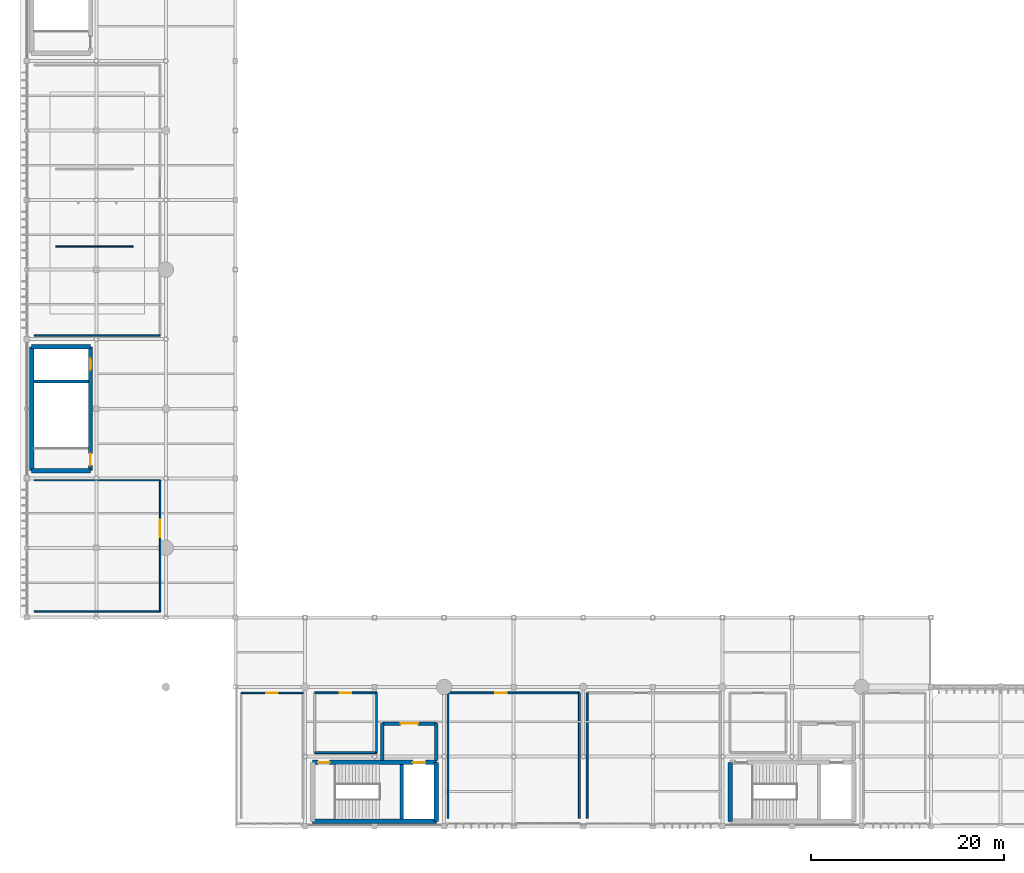
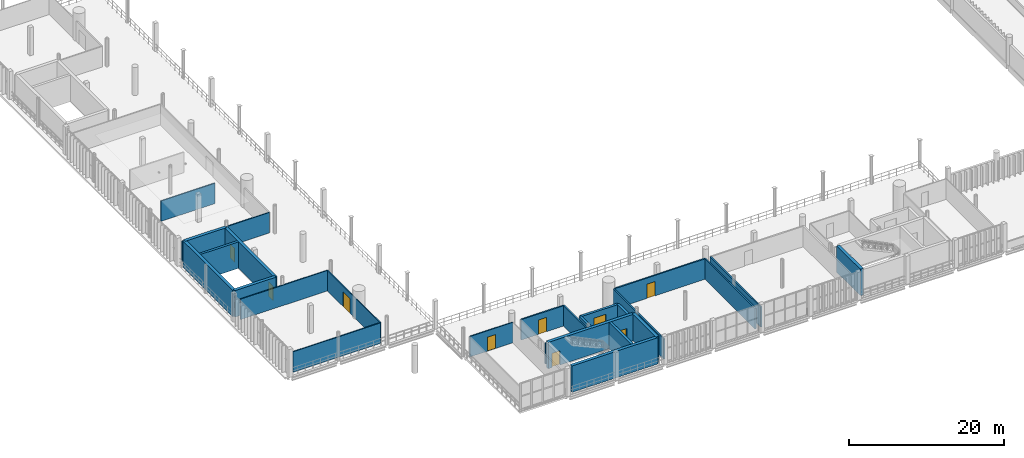
# One storey, part 57 of 81: 26 walls, 9 doors, 9 openings.
"""IFC4 building model written with IfcOpenShell, lengths in metres."""

from ifc_helpers import new_model, si_unit, direction, frame, frame_2d, origin, place, context, subcontext, project, spatial, rectangle, extrude, material, layer, layer_set, type_object, element, fill, save


model = new_model("IFC4")

# Units and contexts
model_context = context("Model", 3, precision=1e-05, world=origin(), true_north=direction((0.0, 1.0)))
body_context = subcontext(model_context, "Body", "Model", "MODEL_VIEW")
ifc_project = project(units=[si_unit("LENGTHUNIT", "METRE"), si_unit("AREAUNIT", "SQUARE_METRE"), si_unit("VOLUMEUNIT", "CUBIC_METRE"), si_unit("PLANEANGLEUNIT", "RADIAN"), si_unit("MASSUNIT", "GRAM", prefix="KILO")], contexts=[model_context])

# Site, building, storey
site_placement = place(None, origin())
site = spatial("IfcSite", under=ifc_project, at=site_placement, CompositionType="ELEMENT")
building_placement = place(site_placement, origin())
building = spatial("IfcBuilding", under=site, at=building_placement, Name="Qandorah Velis Arena", CompositionType="ELEMENT")
storey_placement = place(building_placement, frame((0.0, 0.0, 18.60009765625)))
storey = spatial("IfcBuildingStorey", under=building, at=storey_placement, Name="L04", CompositionType="ELEMENT", Elevation=18.60009765625)

# Walls
ifc_material_1 = material(Name="Concrete C35/45", Category="concrete")
ifc_layer_1 = layer(ifc_material_1, 0.199951171875)
ifc_layer_set_1 = layer_set([ifc_layer_1], Name="Concrete C35/45")
wall_type_1 = type_object("IfcWallType", Name="ARC-WAL-FD60-200", PredefinedType="PARTITIONING", material=ifc_layer_set_1)
wall_1_placement = place(storey_placement, frame((29.800048828125, 7.60009765625, 0.0), z_axis=(0.0, 0.0, 1.0), x_axis=(1.0, 0.0, 0.0)))
element("IfcWall", 1, at=wall_1_placement, inside=storey, type_object=wall_type_1, Name="Interior partition L04-VAR-OPS (S)", PredefinedType="PARTITIONING", context=body_context, shape_type="SweptSolid", body=[
    extrude(rectangle(XDim=6.39990234375, YDim=0.199951171875, at=frame_2d((3.199951171875, 0.0))), origin(), (0.0, 0.0, 1.0), 3.2099609375),
])
wall_2_placement = place(storey_placement, frame((36.199951171875, 7.60009765625, 0.0), z_axis=(0.0, 0.0, 1.0), x_axis=(0.0, 1.0, 0.0)))
element("IfcWall", 2, at=wall_2_placement, inside=storey, type_object=wall_type_1, Name="Interior partition L04-VAR-OPS (E)", PredefinedType="PARTITIONING", context=body_context, shape_type="SweptSolid", body=[
    extrude(rectangle(XDim=6.199951171875, YDim=0.199951171875, at=frame_2d((3.10009765625, 0.0))), origin(), (0.0, 0.0, 1.0), 3.2099609375),
])

# Wall, opening, door
wall_3_placement = place(storey_placement, frame((36.199951171875, 13.800048828125, 0.0), z_axis=(0.0, 0.0, 1.0), x_axis=(-1.0, 0.0, 0.0)))
wall_3 = element("IfcWall", 3, at=wall_3_placement, inside=storey, type_object=wall_type_1, Name="Interior partition L04-VAR-OPS (N)", PredefinedType="PARTITIONING", context=body_context, shape_type="SweptSolid", body=[
    extrude(rectangle(XDim=6.39990234375, YDim=0.199951171875, at=frame_2d((3.199951171875, 0.0))), origin(), (0.0, 0.0, 1.0), 3.2099609375),
])
opening_1_placement = place(wall_3_placement, frame((2.60009765625, 0.0, 0.0)))
opening_1 = element("IfcOpeningElement", 4, at=opening_1_placement, cuts=wall_3, Name="Opening FD2", PredefinedType="OPENING", context=body_context, shape_type="SweptSolid", body=[
    extrude(rectangle(XDim=1.199951171875, YDim=2.25, at=frame_2d((0.60009765625, 1.125))), frame((0.0, 0.10986328125, 0.0), z_axis=(0.0, -1.0, 0.0), x_axis=(1.0, 0.0, 0.0)), (0.0, 0.0, 1.0), 0.219970703125),
])
ifc_material_2 = material(Name="Insulated fire-rated single steel door", Category="steel")
door_type_1 = type_object("IfcDoorType", Name="ARC-DR-FD1200", OperationType="NOTDEFINED", PredefinedType="DOOR", material=ifc_material_2)
door_1_placement = place(opening_1_placement, frame((1.199951171875, 0.0, 0.0), z_axis=(0.0, 0.0, 1.0), x_axis=(-1.0, 0.0, 0.0)))
door_1 = element("IfcDoor", 5, at=door_1_placement, inside=storey, type_object=door_type_1, Name="Door L04-VAR-OPS", OperationType="SINGLE_SWING_RIGHT", OverallHeight=2.25, OverallWidth=1.199951171875, PredefinedType="DOOR", context=body_context, shape_type="SweptSolid", body=[
    extrude(rectangle(XDim=1.199951171875, YDim=2.25, at=frame_2d((0.60009765625, 1.125))), frame((0.0, 0.02490234375, 0.0), z_axis=(0.0, -1.0, 0.0), x_axis=(1.0, 0.0, 0.0)), (0.0, 0.0, 1.0), 0.050048828125),
])
fill(opening_1, door_1)

# Wall
wall_4_placement = place(storey_placement, frame((57.199951171875, 0.800048828125, 0.0), z_axis=(0.0, 0.0, 1.0), x_axis=(0.0, 1.0, 0.0)))
element("IfcWall", 6, at=wall_4_placement, inside=storey, type_object=wall_type_1, Name="Interior partition L04-TV-ST1 (E)", PredefinedType="PARTITIONING", context=body_context, shape_type="SweptSolid", body=[
    extrude(rectangle(XDim=13.0, YDim=0.199951171875, at=frame_2d((6.5, 0.0))), origin(), (0.0, 0.0, 1.0), 3.2099609375),
])

# Wall, opening, door
wall_5_placement = place(storey_placement, frame((57.199951171875, 13.800048828125, 0.0), z_axis=(0.0, 0.0, 1.0), x_axis=(-1.0, 0.0, 0.0)))
wall_5 = element("IfcWall", 7, at=wall_5_placement, inside=storey, type_object=wall_type_1, Name="Interior partition L04-TV-ST1 (N)", PredefinedType="PARTITIONING", context=body_context, shape_type="SweptSolid", body=[
    extrude(rectangle(XDim=13.599853515625, YDim=0.199951171875, at=frame_2d((6.7998046875, 0.0))), origin(), (0.0, 0.0, 1.0), 3.2099609375),
])
opening_2_placement = place(wall_5_placement, frame((7.5, 0.0, 0.0)))
opening_2 = element("IfcOpeningElement", 8, at=opening_2_placement, cuts=wall_5, Name="Opening FD2", PredefinedType="OPENING", context=body_context, shape_type="SweptSolid", body=[
    extrude(rectangle(XDim=1.199951171875, YDim=2.25, at=frame_2d((0.60009765625, 1.125))), frame((0.0, 0.10986328125, 0.0), z_axis=(0.0, -1.0, 0.0), x_axis=(1.0, 0.0, 0.0)), (0.0, 0.0, 1.0), 0.219970703125),
])
door_2_placement = place(opening_2_placement, origin())
door_2 = element("IfcDoor", 9, at=door_2_placement, inside=storey, type_object=door_type_1, Name="Door L04-TV-ST1", OperationType="SINGLE_SWING_LEFT", OverallHeight=2.25, OverallWidth=1.199951171875, PredefinedType="DOOR", context=body_context, shape_type="SweptSolid", body=[
    extrude(rectangle(XDim=1.199951171875, YDim=2.25, at=frame_2d((0.60009765625, 1.125))), frame((0.0, 0.02490234375, 0.0), z_axis=(0.0, -1.0, 0.0), x_axis=(1.0, 0.0, 0.0)), (0.0, 0.0, 1.0), 0.050048828125),
])
fill(opening_2, door_2)

# Walls
for number, where, z_axis, x_axis, name in (
    (10, (43.60009765625, 13.800048828125, 0.0), (0.0, 0.0, 1.0), (0.0, -1.0, 0.0), "Interior partition L04-TV-ST1 (W)"),
    (11, (58.0, 13.800048828125, 0.0), (0.0, 0.0, 1.0), (0.0, -1.0, 0.0), "Interior partition L04-TV-ST2 (W)"),
):
    element("IfcWall", number, at=place(storey_placement, frame(where, z_axis=z_axis, x_axis=x_axis)), inside=storey, type_object=wall_type_1, Name=name, PredefinedType="PARTITIONING", context=body_context, shape_type="SweptSolid", body=[
        extrude(rectangle(XDim=13.0, YDim=0.199951171875, at=frame_2d((6.5, 0.0))), origin(), (0.0, 0.0, 1.0), 3.2099609375),
    ])
ifc_material_3 = material(Name="Steel S355", Category="steel")
ifc_layer_2 = layer(ifc_material_3, 0.139892578125)
ifc_layer_set_2 = layer_set([ifc_layer_2], Name="Steel S355")
wall_type_2 = type_object("IfcWallType", Name="ARC-WAL-MOV140", PredefinedType="MOVABLE", material=ifc_layer_set_2)
wall_6_placement = place(storey_placement, frame((3.0, 60.0, 0.0), z_axis=(0.0, 0.0, 1.0), x_axis=(1.0, 0.0, 0.0)))
element("IfcWall", 12, at=wall_6_placement, inside=storey, type_object=wall_type_2, Name="Operable acoustic partition MP-05", PredefinedType="MOVABLE", context=body_context, shape_type="SweptSolid", body=[
    extrude(rectangle(XDim=8.0, YDim=0.139892578125, at=frame_2d((4.0, 0.0))), origin(), (0.0, 0.0, 1.0), 3.199951171875),
])
ifc_layer_3 = layer(ifc_material_1, 0.14990234375)
ifc_layer_set_3 = layer_set([ifc_layer_3], Name="Concrete C35/45")
wall_type_3 = type_object("IfcWallType", Name="ARC-WAL-PART150", PredefinedType="PARTITIONING", material=ifc_layer_set_3)
for number, where, z_axis, x_axis, name in (
    (13, (0.800048828125, 50.800048828125, 0.0), (0.0, 0.0, 1.0), (1.0, 0.0, 0.0), "Interior partition L04-PRS-WRK (S)"),
    (14, (0.800048828125, 22.199951171875, 0.0), (0.0, 0.0, 1.0), (1.0, 0.0, 0.0), "Interior partition L04-PRS-CNF (S)"),
):
    element("IfcWall", number, at=place(storey_placement, frame(where, z_axis=z_axis, x_axis=x_axis)), inside=storey, type_object=wall_type_3, Name=name, PredefinedType="PARTITIONING", context=body_context, shape_type="SweptSolid", body=[
        extrude(rectangle(XDim=13.0, YDim=0.14990234375, at=frame_2d((6.5, 0.0))), origin(), (0.0, 0.0, 1.0), 3.2099609375),
    ])

# Wall, opening, door
wall_7_placement = place(storey_placement, frame((13.800048828125, 22.199951171875, 0.0), z_axis=(0.0, 0.0, 1.0), x_axis=(0.0, 1.0, 0.0)))
wall_7 = element("IfcWall", 15, at=wall_7_placement, inside=storey, type_object=wall_type_3, Name="Interior partition L04-PRS-CNF (E)", PredefinedType="PARTITIONING", context=body_context, shape_type="SweptSolid", body=[
    extrude(rectangle(XDim=13.60009765625, YDim=0.14990234375, at=frame_2d((6.800048828125, 0.0))), origin(), (0.0, 0.0, 1.0), 3.2099609375),
])
opening_3_placement = place(wall_7_placement, frame((7.699951171875, 0.0, 0.0)))
opening_3 = element("IfcOpeningElement", 16, at=opening_3_placement, cuts=wall_7, Name="Opening D3", PredefinedType="OPENING", context=body_context, shape_type="SweptSolid", body=[
    extrude(rectangle(XDim=1.800048828125, YDim=2.300048828125, at=frame_2d((0.89990234375, 1.14990234375))), frame((0.0, 0.0849609375, 0.0), z_axis=(0.0, -1.0, 0.0), x_axis=(1.0, 0.0, 0.0)), (0.0, 0.0, 1.0), 0.169921875),
])
ifc_material_4 = material(Name="Double-leaf acoustic timber door", Category="wood")
door_type_2 = type_object("IfcDoorType", Name="ARC-DR-DBL1800", OperationType="NOTDEFINED", PredefinedType="DOOR", material=ifc_material_4)
door_3_placement = place(opening_3_placement, origin())
door_3 = element("IfcDoor", 17, at=door_3_placement, inside=storey, type_object=door_type_2, Name="Door L04-PRS-CNF", OperationType="DOUBLE_DOOR_SINGLE_SWING", OverallHeight=2.300048828125, OverallWidth=1.800048828125, PredefinedType="DOOR", context=body_context, shape_type="SweptSolid", body=[
    extrude(rectangle(XDim=1.800048828125, YDim=2.300048828125, at=frame_2d((0.89990234375, 1.14990234375))), frame((0.0, 0.02490234375, 0.0), z_axis=(0.0, -1.0, 0.0), x_axis=(1.0, 0.0, 0.0)), (0.0, 0.0, 1.0), 0.050048828125),
])
fill(opening_3, door_3)

# Wall
wall_8_placement = place(storey_placement, frame((13.800048828125, 35.800048828125, 0.0), z_axis=(0.0, 0.0, 1.0), x_axis=(-1.0, 0.0, 0.0)))
element("IfcWall", 18, at=wall_8_placement, inside=storey, type_object=wall_type_3, Name="Interior partition L04-PRS-CNF (N)", PredefinedType="PARTITIONING", context=body_context, shape_type="SweptSolid", body=[
    extrude(rectangle(XDim=13.0, YDim=0.14990234375, at=frame_2d((6.5, 0.0))), origin(), (0.0, 0.0, 1.0), 3.2099609375),
])

# Wall, opening, door
wall_9_placement = place(storey_placement, frame((28.60009765625, 13.800048828125, 0.0), z_axis=(0.0, 0.0, 1.0), x_axis=(-1.0, 0.0, 0.0)))
wall_9 = element("IfcWall", 19, at=wall_9_placement, inside=storey, type_object=wall_type_3, Name="Interior partition L04-PHO-WRK (N)", PredefinedType="PARTITIONING", context=body_context, shape_type="SweptSolid", body=[
    extrude(rectangle(XDim=6.400146484375, YDim=0.14990234375, at=frame_2d((3.2001953125, 0.0))), origin(), (0.0, 0.0, 1.0), 3.2099609375),
])
opening_4_placement = place(wall_9_placement, frame((2.60009765625, 0.0, 0.0)))
opening_4 = element("IfcOpeningElement", 20, at=opening_4_placement, cuts=wall_9, Name="Opening D2", PredefinedType="OPENING", context=body_context, shape_type="SweptSolid", body=[
    extrude(rectangle(XDim=1.199951171875, YDim=2.199951171875, at=frame_2d((0.60009765625, 1.10009765625))), frame((0.0, 0.0849609375, 0.0), z_axis=(0.0, -1.0, 0.0), x_axis=(1.0, 0.0, 0.0)), (0.0, 0.0, 1.0), 0.169921875),
])
ifc_material_5 = material(Name="Solid-core hardwood veneer door", Category="wood")
door_type_3 = type_object("IfcDoorType", Name="ARC-DR-INT1200", OperationType="NOTDEFINED", PredefinedType="DOOR", material=ifc_material_5)
door_4_placement = place(opening_4_placement, origin())
door_4 = element("IfcDoor", 21, at=door_4_placement, inside=storey, type_object=door_type_3, Name="Door L04-PHO-WRK", OperationType="SINGLE_SWING_LEFT", OverallHeight=2.199951171875, OverallWidth=1.199951171875, PredefinedType="DOOR", context=body_context, shape_type="SweptSolid", body=[
    extrude(rectangle(XDim=1.199951171875, YDim=2.199951171875, at=frame_2d((0.60009765625, 1.10009765625))), frame((0.0, 0.02490234375, 0.0), z_axis=(0.0, -1.0, 0.0), x_axis=(1.0, 0.0, 0.0)), (0.0, 0.0, 1.0), 0.050048828125),
])
fill(opening_4, door_4)

# Wall
ifc_material_6 = material(Name="Concrete C40/50", Category="concrete")
ifc_layer_4 = layer(ifc_material_6, 0.449951171875)
ifc_layer_set_4 = layer_set([ifc_layer_4], Name="Concrete C40/50")
wall_type_4 = type_object("IfcWallType", Name="STR-WAL-CORE450", PredefinedType="SHEAR", material=ifc_layer_set_4)
wall_10_placement = place(storey_placement, frame((29.60009765625, 0.5, 0.0), z_axis=(0.0, 0.0, 1.0), x_axis=(1.0, 0.0, 0.0)))
element("IfcWall", 22, at=wall_10_placement, inside=storey, type_object=wall_type_4, Name="Core CORE-01 shear wall S (L04)", PredefinedType="SHEAR", context=body_context, shape_type="SweptSolid", body=[
    extrude(rectangle(XDim=12.7998046875, YDim=0.449951171875, at=frame_2d((6.39990234375, 0.0))), origin(), (0.0, 0.0, 1.0), 4.14990234375),
])

# Wall, openings, doors
wall_11_placement = place(storey_placement, frame((29.60009765625, 6.60009765625, 0.0), z_axis=(0.0, 0.0, 1.0), x_axis=(1.0, 0.0, 0.0)))
wall_11 = element("IfcWall", 23, at=wall_11_placement, inside=storey, type_object=wall_type_4, Name="Core CORE-01 shear wall N (L04)", PredefinedType="SHEAR", context=body_context, shape_type="SweptSolid", body=[
    extrude(rectangle(XDim=12.7998046875, YDim=0.449951171875, at=frame_2d((6.39990234375, 0.0))), origin(), (0.0, 0.0, 1.0), 4.14990234375),
])
opening_5_placement = place(wall_11_placement, frame((0.550048828125, 0.0, 0.0)))
opening_5 = element("IfcOpeningElement", 24, at=opening_5_placement, cuts=wall_11, Name="Opening SD1", PredefinedType="OPENING", context=body_context, shape_type="SweptSolid", body=[
    extrude(rectangle(XDim=1.199951171875, YDim=2.25, at=frame_2d((0.60009765625, 1.125))), frame((0.0, 0.23486328125, 0.0), z_axis=(0.0, -1.0, 0.0), x_axis=(1.0, 0.0, 0.0)), (0.0, 0.0, 1.0), 0.469970703125),
])
opening_6_placement = place(wall_11_placement, frame((10.35791015625, 0.0, 0.0)))
opening_6 = element("IfcOpeningElement", 25, at=opening_6_placement, cuts=wall_11, Name="Opening LD2", PredefinedType="OPENING", context=body_context, shape_type="SweptSolid", body=[
    extrude(rectangle(XDim=1.300048828125, YDim=2.25, at=frame_2d((0.64990234375, 1.125))), frame((0.0, 0.23486328125, 0.0), z_axis=(0.0, -1.0, 0.0), x_axis=(1.0, 0.0, 0.0)), (0.0, 0.0, 1.0), 0.469970703125),
])
ifc_material_7 = material(Name="Firefighting stainless sliding lift landing door", Category="steel")
door_type_4 = type_object("IfcDoorType", Name="ARC-DR-LD1300", OperationType="NOTDEFINED", PredefinedType="DOOR", material=ifc_material_7)
door_5_placement = place(opening_6_placement, origin())
door_5 = element("IfcDoor", 26, at=door_5_placement, inside=storey, type_object=door_type_4, Name="Lift FL1 sliding landing door (L04)", OperationType="SLIDING_TO_RIGHT", OverallHeight=2.25, OverallWidth=1.300048828125, PredefinedType="DOOR", context=body_context, shape_type="SweptSolid", body=[
    extrude(rectangle(XDim=1.300048828125, YDim=2.25, at=frame_2d((0.64990234375, 1.125))), frame((0.0, 0.02490234375, 0.0), z_axis=(0.0, -1.0, 0.0), x_axis=(1.0, 0.0, 0.0)), (0.0, 0.0, 1.0), 0.050048828125),
])
fill(opening_6, door_5)
ifc_material_8 = material(Name="Self-closing fire-rated stair steel door", Category="steel")
door_type_5 = type_object("IfcDoorType", Name="ARC-DR-ST1200", OperationType="NOTDEFINED", PredefinedType="DOOR", material=ifc_material_8)
door_6_placement = place(opening_5_placement, frame((1.199951171875, 0.0, 0.0), z_axis=(0.0, 0.0, 1.0), x_axis=(-1.0, 0.0, 0.0)))
door_6 = element("IfcDoor", 27, at=door_6_placement, inside=storey, type_object=door_type_5, Name="Stair ST1 fire door (L04)", OperationType="SINGLE_SWING_LEFT", OverallHeight=2.25, OverallWidth=1.199951171875, PredefinedType="DOOR", context=body_context, shape_type="SweptSolid", body=[
    extrude(rectangle(XDim=1.199951171875, YDim=2.25, at=frame_2d((0.60009765625, 1.125))), frame((0.0, 0.02490234375, 0.0), z_axis=(0.0, -1.0, 0.0), x_axis=(1.0, 0.0, 0.0)), (0.0, 0.0, 1.0), 0.050048828125),
])
fill(opening_5, door_6)

# Walls
for number, where, z_axis, x_axis, name in (
    (28, (42.39990234375, 0.5, 0.0), (0.0, 0.0, 1.0), (0.0, 1.0, 0.0), "Core CORE-01 shear wall E (L04)"),
    (29, (72.800048828125, 0.5, 0.0), (0.0, 0.0, 1.0), (0.0, 1.0, 0.0), "Core CORE-02 shear wall W (L04)"),
    (30, (0.5, 36.800048828125, 0.0), (0.0, 0.0, 1.0), (1.0, 0.0, 0.0), "Core CORE-05 shear wall S (L04)"),
    (31, (0.5, 49.60009765625, 0.0), (0.0, 0.0, 1.0), (1.0, 0.0, 0.0), "Core CORE-05 shear wall N (L04)"),
):
    element("IfcWall", number, at=place(storey_placement, frame(where, z_axis=z_axis, x_axis=x_axis)), inside=storey, type_object=wall_type_4, Name=name, PredefinedType="SHEAR", context=body_context, shape_type="SweptSolid", body=[
        extrude(rectangle(XDim=6.10009765625, YDim=0.449951171875, at=frame_2d((3.050048828125, 0.0))), origin(), (0.0, 0.0, 1.0), 4.14990234375),
    ])
wall_12_placement = place(storey_placement, frame((0.5, 36.800048828125, 0.0), z_axis=(0.0, 0.0, 1.0), x_axis=(0.0, 1.0, 0.0)))
element("IfcWall", 32, at=wall_12_placement, inside=storey, type_object=wall_type_4, Name="Core CORE-05 shear wall W (L04)", PredefinedType="SHEAR", context=body_context, shape_type="SweptSolid", body=[
    extrude(rectangle(XDim=12.800048828125, YDim=0.449951171875, at=frame_2d((6.39990234375, 0.0))), origin(), (0.0, 0.0, 1.0), 4.14990234375),
])

# Wall, openings, doors
wall_13_placement = place(storey_placement, frame((6.60009765625, 36.800048828125, 0.0), z_axis=(0.0, 0.0, 1.0), x_axis=(0.0, 1.0, 0.0)))
wall_13 = element("IfcWall", 33, at=wall_13_placement, inside=storey, type_object=wall_type_4, Name="Core CORE-05 shear wall E (L04)", PredefinedType="SHEAR", context=body_context, shape_type="SweptSolid", body=[
    extrude(rectangle(XDim=12.800048828125, YDim=0.449951171875, at=frame_2d((6.39990234375, 0.0))), origin(), (0.0, 0.0, 1.0), 4.14990234375),
])
opening_7_placement = place(wall_13_placement, frame((0.550048828125, 0.0, 0.0)))
opening_7 = element("IfcOpeningElement", 34, at=opening_7_placement, cuts=wall_13, Name="Opening SD1", PredefinedType="OPENING", context=body_context, shape_type="SweptSolid", body=[
    extrude(rectangle(XDim=1.199951171875, YDim=2.25, at=frame_2d((0.60009765625, 1.125))), frame((0.0, 0.23486328125, 0.0), z_axis=(0.0, -1.0, 0.0), x_axis=(1.0, 0.0, 0.0)), (0.0, 0.0, 1.0), 0.469970703125),
])
opening_8_placement = place(wall_13_placement, frame((10.4580078125, 0.0, 0.0)))
opening_8 = element("IfcOpeningElement", 35, at=opening_8_placement, cuts=wall_13, Name="Opening LD1", PredefinedType="OPENING", context=body_context, shape_type="SweptSolid", body=[
    extrude(rectangle(XDim=1.10009765625, YDim=2.199951171875, at=frame_2d((0.550048828125, 1.10009765625))), frame((0.0, 0.23486328125, 0.0), z_axis=(0.0, -1.0, 0.0), x_axis=(1.0, 0.0, 0.0)), (0.0, 0.0, 1.0), 0.469970703125),
])
ifc_material_9 = material(Name="Stainless steel sliding lift landing door", Category="steel")
door_type_6 = type_object("IfcDoorType", Name="ARC-DR-LD1100", OperationType="NOTDEFINED", PredefinedType="DOOR", material=ifc_material_9)
door_7_placement = place(opening_8_placement, origin())
door_7 = element("IfcDoor", 36, at=door_7_placement, inside=storey, type_object=door_type_6, Name="Lift PL3 sliding landing door (L04)", OperationType="SLIDING_TO_RIGHT", OverallHeight=2.199951171875, OverallWidth=1.10009765625, PredefinedType="DOOR", context=body_context, shape_type="SweptSolid", body=[
    extrude(rectangle(XDim=1.10009765625, YDim=2.199951171875, at=frame_2d((0.550048828125, 1.10009765625))), frame((0.0, 0.02490234375, 0.0), z_axis=(0.0, -1.0, 0.0), x_axis=(1.0, 0.0, 0.0)), (0.0, 0.0, 1.0), 0.050048828125),
])
fill(opening_8, door_7)
door_8_placement = place(opening_7_placement, origin())
door_8 = element("IfcDoor", 37, at=door_8_placement, inside=storey, type_object=door_type_5, Name="Stair ST5 fire door (L04)", OperationType="SINGLE_SWING_LEFT", OverallHeight=2.25, OverallWidth=1.199951171875, PredefinedType="DOOR", context=body_context, shape_type="SweptSolid", body=[
    extrude(rectangle(XDim=1.199951171875, YDim=2.25, at=frame_2d((0.60009765625, 1.125))), frame((0.0, 0.02490234375, 0.0), z_axis=(0.0, -1.0, 0.0), x_axis=(1.0, 0.0, 0.0)), (0.0, 0.0, 1.0), 0.050048828125),
])
fill(opening_7, door_8)

# Walls
ifc_layer_5 = layer(ifc_material_6, 0.35009765625)
ifc_layer_set_5 = layer_set([ifc_layer_5], Name="Concrete C40/50")
wall_type_5 = type_object("IfcWallType", Name="STR-WAL-SH350", PredefinedType="SHEAR", material=ifc_layer_set_5)
for number, where, z_axis, x_axis, name in (
    (38, (38.81591796875, 0.72509765625, 0.0), (0.0, 0.0, 1.0), (0.0, 1.0, 0.0), "Core CORE-01 shaft divider shear wall (L04)"),
    (39, (0.72509765625, 46.01611328125, 0.0), (0.0, 0.0, 1.0), (1.0, 0.0, 0.0), "Core CORE-05 shaft divider shear wall (L04)"),
):
    element("IfcWall", number, at=place(storey_placement, frame(where, z_axis=z_axis, x_axis=x_axis)), inside=storey, type_object=wall_type_5, Name=name, PredefinedType="SHEAR", context=body_context, shape_type="SweptSolid", body=[
        extrude(rectangle(XDim=5.64990234375, YDim=0.35009765625, at=frame_2d((2.824951171875, 0.0))), origin(), (0.0, 0.0, 1.0), 4.14990234375),
    ])
wall_14_placement = place(storey_placement, frame((42.39990234375, 6.800048828125, 0.0), z_axis=(0.0, 0.0, 1.0), x_axis=(0.0, 1.0, 0.0)))
element("IfcWall", 40, at=wall_14_placement, inside=storey, type_object=wall_type_5, Name="Interior partition FFL-FL1-L04 (E)", PredefinedType="SHEAR", context=body_context, shape_type="SweptSolid", body=[
    extrude(rectangle(XDim=3.800048828125, YDim=0.35009765625, at=frame_2d((1.89990234375, 0.0))), origin(), (0.0, 0.0, 1.0), 3.2099609375),
])

# Wall, opening, door
wall_15_placement = place(storey_placement, frame((42.39990234375, 10.60009765625, 0.0), z_axis=(0.0, 0.0, 1.0), x_axis=(-1.0, 0.0, 0.0)))
wall_15 = element("IfcWall", 41, at=wall_15_placement, inside=storey, type_object=wall_type_5, Name="Interior partition FFL-FL1-L04 (N)", PredefinedType="SHEAR", context=body_context, shape_type="SweptSolid", body=[
    extrude(rectangle(XDim=5.599853515625, YDim=0.35009765625, at=frame_2d((2.7998046875, 0.0))), origin(), (0.0, 0.0, 1.0), 3.2099609375),
])
opening_9_placement = place(wall_15_placement, frame((1.89990234375, 0.0, 0.0)))
opening_9 = element("IfcOpeningElement", 42, at=opening_9_placement, cuts=wall_15, Name="Opening FD1", PredefinedType="OPENING", context=body_context, shape_type="SweptSolid", body=[
    extrude(rectangle(XDim=1.800048828125, YDim=2.300048828125, at=frame_2d((0.89990234375, 1.14990234375))), frame((0.0, 0.18505859375, 0.0), z_axis=(0.0, -1.0, 0.0), x_axis=(1.0, 0.0, 0.0)), (0.0, 0.0, 1.0), 0.3701171875),
])
ifc_material_10 = material(Name="Insulated fire-rated double steel door", Category="steel")
door_type_7 = type_object("IfcDoorType", Name="ARC-DR-FD1800", OperationType="NOTDEFINED", PredefinedType="DOOR", material=ifc_material_10)
door_9_placement = place(opening_9_placement, origin())
door_9 = element("IfcDoor", 43, at=door_9_placement, inside=storey, type_object=door_type_7, Name="Door FFL-FL1-L04", OperationType="DOUBLE_DOOR_SINGLE_SWING", OverallHeight=2.300048828125, OverallWidth=1.800048828125, PredefinedType="DOOR", context=body_context, shape_type="SweptSolid", body=[
    extrude(rectangle(XDim=1.800048828125, YDim=2.300048828125, at=frame_2d((0.89990234375, 1.14990234375))), frame((0.0, 0.02490234375, 0.0), z_axis=(0.0, -1.0, 0.0), x_axis=(1.0, 0.0, 0.0)), (0.0, 0.0, 1.0), 0.050048828125),
])
fill(opening_9, door_9)

# Wall
wall_16_placement = place(storey_placement, frame((36.800048828125, 10.60009765625, 0.0), z_axis=(0.0, 0.0, 1.0), x_axis=(0.0, -1.0, 0.0)))
element("IfcWall", 44, at=wall_16_placement, inside=storey, type_object=wall_type_5, Name="Interior partition FFL-FL1-L04 (W)", PredefinedType="SHEAR", context=body_context, shape_type="SweptSolid", body=[
    extrude(rectangle(XDim=3.800048828125, YDim=0.35009765625, at=frame_2d((1.89990234375, 0.0))), origin(), (0.0, 0.0, 1.0), 3.2099609375),
])

save(model, "model.ifc")
